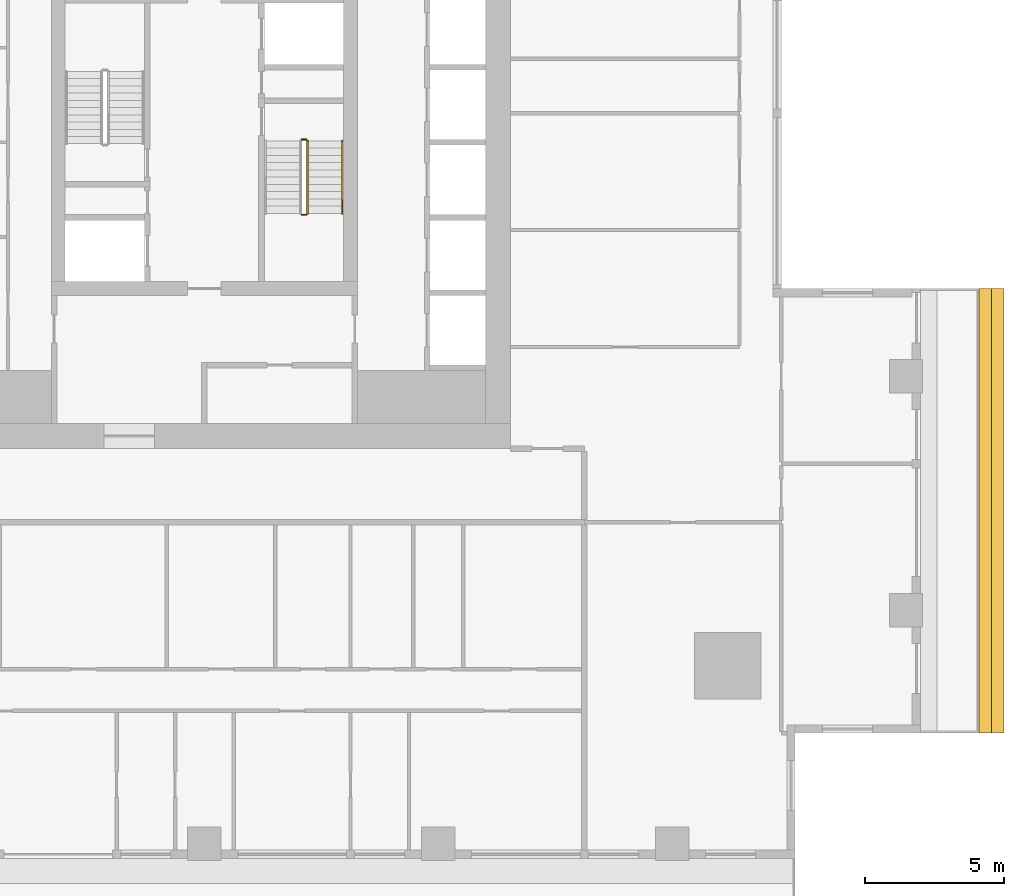
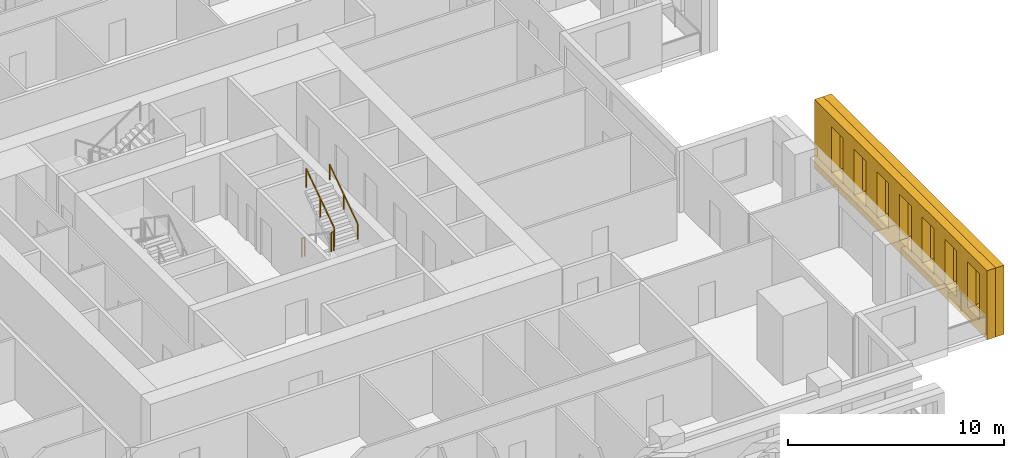
# One storey, part 13 of 15: 4 railings, 2 shading devices.
"""IFC4 building model written with IfcOpenShell, lengths in metres."""

import ifcopenshell
import ifcopenshell.guid

model = None  # the IFC model being written
_history = None  # IfcOwnerHistory: only IFC2X3 demands one
_inside = {}  # id of a spatial element -> (the spatial element, [elements in it])
_under = {}  # id of a project, library or spatial element -> (it, [spatial elements below it])
_declared = {}  # id of a project -> (the project, [libraries it declares])
_typed = {}  # id of a type object -> (the type object, [elements of that type])
_made_of = {}  # id of a material, layer set ... -> (it, [elements and type objects made of it])


def new_model(schema):
    """Start an empty IFC model of exactly this schema.

    Asked for "IFC4X3", IfcOpenShell would pick the latest addendum, in which some entities
    have other attributes; the version numbers below select the first issue.
    IFC2X3 requires an IfcOwnerHistory on every rooted entity: one is made here for all.
    """
    global model, _history
    if schema == "IFC4X3":
        model = ifcopenshell.file(schema_version=(4, 3, 0, 0))
    else:
        model = ifcopenshell.file(schema=schema)
    _inside.clear()
    _under.clear()
    _declared.clear()
    _typed.clear()
    _made_of.clear()
    _history = None
    if model.schema == "IFC2X3":
        org = make("IfcOrganization", Name="unknown")
        user = make(
            "IfcPersonAndOrganization",
            ThePerson=make("IfcPerson", FamilyName="unknown"),
            TheOrganization=org,
        )
        app = make(
            "IfcApplication",
            ApplicationDeveloper=org,
            Version="unknown",
            ApplicationFullName="unknown",
            ApplicationIdentifier="unknown",
        )
        _history = make(
            "IfcOwnerHistory",
            OwningUser=user,
            OwningApplication=app,
            ChangeAction="ADDED",
            CreationDate=0,
        )
    return model


def make(cls, **values):
    """One entity of the class cls with the attributes given. An attribute that is None is left unset."""
    return model.create_entity(
        cls, **{name: value for name, value in values.items() if value is not None}
    )


def rooted(cls, **values):
    """An entity with a GlobalId (a new one), such as an element, a storey or a relation."""
    return make(cls, GlobalId=ifcopenshell.guid.new(), OwnerHistory=_history, **values)


def si_unit(unit_type, name, prefix=None):
    """IfcSIUnit, for example si_unit("LENGTHUNIT", "METRE", prefix="MILLI")."""
    return make("IfcSIUnit", UnitType=unit_type, Prefix=prefix, Name=name)


def assignment(units):
    """IfcUnitAssignment: the units of a project."""
    return None if units is None else make("IfcUnitAssignment", Units=units)


def point(xyz):
    """IfcCartesianPoint."""
    return None if xyz is None else make("IfcCartesianPoint", Coordinates=xyz)


def direction(xyz):
    """IfcDirection."""
    return None if xyz is None else make("IfcDirection", DirectionRatios=xyz)


def frame(location, z_axis=None, x_axis=None):
    """IfcAxis2Placement3D, a coordinate frame: its origin and axes. An axis left out is left unset."""
    return make(
        "IfcAxis2Placement3D",
        Location=point(location),
        Axis=direction(z_axis),
        RefDirection=direction(x_axis),
    )


def frame_2d(location, x_axis=None):
    """IfcAxis2Placement2D, a coordinate frame in the plane: its origin and x axis."""
    return make(
        "IfcAxis2Placement2D", Location=point(location), RefDirection=direction(x_axis)
    )


def origin():
    """The frame at (0, 0, 0) with its axes left unset."""
    return frame((0.0, 0.0, 0.0))


def origin_2d():
    """The frame at (0, 0) in the plane with its x axis left unset."""
    return frame_2d((0.0, 0.0))


def place(relative_to, where):
    """IfcLocalPlacement: puts the frame where relative to a parent placement (None: the world)."""
    return make(
        "IfcLocalPlacement", PlacementRelTo=relative_to, RelativePlacement=where
    )


def context(
    kind, dimensions, precision=None, world=None, true_north=None, identifier=None
):
    """IfcGeometricRepresentationContext, for example the 3D "Model" context."""
    return make(
        "IfcGeometricRepresentationContext",
        ContextIdentifier=identifier,
        ContextType=kind,
        CoordinateSpaceDimension=dimensions,
        Precision=precision,
        WorldCoordinateSystem=world,
        TrueNorth=true_north,
    )


def subcontext(parent, identifier, kind, view, scale=None):
    """IfcGeometricRepresentationSubContext, for example "Body" below "Model"."""
    return make(
        "IfcGeometricRepresentationSubContext",
        ContextIdentifier=identifier,
        ContextType=kind,
        ParentContext=parent,
        TargetScale=scale,
        TargetView=view,
    )


def project(units=None, contexts=None):
    """IfcProject with its units and contexts."""
    return rooted(
        "IfcProject",
        Name="project",
        RepresentationContexts=contexts,
        UnitsInContext=assignment(units),
    )


def spatial(cls, under=None, at=None, **own):
    """A site, building, storey or space (cls), placed at a placement, below another one or the project."""
    s = rooted(cls, ObjectPlacement=at, **own)
    if under is not None:
        _under.setdefault(under.id(), (under, []))[1].append(s)
    return s


def polyline(points):
    """IfcPolyline through the points."""
    return make("IfcPolyline", Points=[point(p) for p in points])


def profile(cls, at=None, kind="AREA", **sizes):
    """A parametric profile (cls). Its sizes go by their IFC names, for example OverallWidth=200.0."""
    return make(cls, ProfileType=kind, Position=at, **sizes)


def rectangle(**sizes):
    """IfcRectangleProfileDef."""
    return profile("IfcRectangleProfileDef", **sizes)


def outline(outer, holes=None, kind="AREA"):
    """IfcArbitraryClosedProfileDef: a profile drawn as a closed curve; with holes, ...WithVoids."""
    if holes is None:
        return make("IfcArbitraryClosedProfileDef", ProfileType=kind, OuterCurve=outer)
    return make(
        "IfcArbitraryProfileDefWithVoids",
        ProfileType=kind,
        OuterCurve=outer,
        InnerCurves=holes,
    )


def extrude(swept, where, along, depth):
    """IfcExtrudedAreaSolid: the profile swept, set in the frame where, extruded along a direction by depth."""
    return make(
        "IfcExtrudedAreaSolid",
        SweptArea=swept,
        Position=where,
        ExtrudedDirection=direction(along),
        Depth=depth,
    )


def shape(context_of_items, identifier, shape_type, items):
    """IfcShapeRepresentation: the items that make up one representation, for example the "Body"."""
    return make(
        "IfcShapeRepresentation",
        ContextOfItems=context_of_items,
        RepresentationIdentifier=identifier,
        RepresentationType=shape_type,
        Items=items,
    )


def material(Name=None, Category=None):
    """IfcMaterial."""
    return make("IfcMaterial", Name=Name, Category=Category)


def made_of(thing, what):
    """Note that an element or type object is made of a material, layer set ...; save() writes the relation."""
    if what is not None:
        _made_of.setdefault(what.id(), (what, []))[1].append(thing)
    return thing


def type_object(cls, material=None, **own):
    """A type object (cls), such as IfcWallType, which elements share."""
    return made_of(rooted(cls, **own), material)


def element(
    cls,
    number,
    at=None,
    inside=None,
    cuts=None,
    type_object=None,
    material=None,
    context=None,
    identifier="Body",
    shape_type=None,
    held_by="IfcProductDefinitionShape",
    body=None,
    shapes=None,
    **own,
):
    """One element of the class cls, such as IfcWall. Its Tag is "e" and its number.

    at: its placement. inside: the storey or other place that contains it. cuts: it is an
    opening in that element (IfcRelVoidsElement). A single representation is given by context,
    identifier, shape_type and body (its items); several are given by shapes. held_by: the class
    of the entity that holds the representations. save() writes the other relations.
    """
    e = rooted(cls, Tag="e%d" % number, ObjectPlacement=at, **own)
    if body is not None:
        shapes = [shape(context, identifier, shape_type, body)]
    if shapes is not None:
        e.Representation = make(held_by, Representations=shapes)
    if inside is not None:
        _inside.setdefault(inside.id(), (inside, []))[1].append(e)
    if cuts is not None:
        rooted(
            "IfcRelVoidsElement", RelatingBuildingElement=cuts, RelatedOpeningElement=e
        )
    if type_object is not None:
        _typed.setdefault(type_object.id(), (type_object, []))[1].append(e)
    return made_of(e, material)


def aggregate(whole, parts):
    """IfcRelAggregates: a whole, such as a stair, and the parts it consists of."""
    return rooted("IfcRelAggregates", RelatingObject=whole, RelatedObjects=parts)


def save(model, path):
    """Write the relations noted so far, then the file.

    IfcRelAggregates (storeys below a building ...), IfcRelContainedInSpatialStructure (elements
    in a storey), IfcRelDefinesByType, IfcRelAssociatesMaterial and IfcRelDeclares: one each for
    every whole, place, type object, material and project.
    """
    for whole, parts in _under.values():
        aggregate(whole, parts)
    for where, things in _inside.values():
        rooted(
            "IfcRelContainedInSpatialStructure",
            RelatedElements=things,
            RelatingStructure=where,
        )
    for kind, things in _typed.values():
        rooted("IfcRelDefinesByType", RelatedObjects=things, RelatingType=kind)
    for what, things in _made_of.values():
        rooted("IfcRelAssociatesMaterial", RelatedObjects=things, RelatingMaterial=what)
    for by, libraries in _declared.values():
        rooted("IfcRelDeclares", RelatingContext=by, RelatedDefinitions=libraries)
    model.write(path)


model = new_model("IFC4")

# Units and contexts
model_context = context("Model", 3, precision=1e-05, world=origin(), true_north=direction((0.0, 1.0)))
body_context = subcontext(model_context, "Body", "Model", "MODEL_VIEW")
ifc_project = project(units=[si_unit("LENGTHUNIT", "METRE"), si_unit("AREAUNIT", "SQUARE_METRE"), si_unit("VOLUMEUNIT", "CUBIC_METRE"), si_unit("PLANEANGLEUNIT", "RADIAN"), si_unit("MASSUNIT", "GRAM", prefix="KILO")], contexts=[model_context])

# Site, building, storey
site_placement = place(None, origin())
site = spatial("IfcSite", under=ifc_project, at=site_placement, CompositionType="ELEMENT")
building_placement = place(site_placement, origin())
building = spatial("IfcBuilding", under=site, at=building_placement, Name="Khepri Terraces", CompositionType="ELEMENT")
storey_placement = place(building_placement, frame((0.0, 0.0, 200.10009765625)))
storey = spatial("IfcBuildingStorey", under=building, at=storey_placement, Name="L47", CompositionType="ELEMENT", Elevation=200.10009765625)

# Railings
ifc_material_1 = material(Name="Stainless steel 316", Category="steel")
railing_type_1 = type_object("IfcRailingType", Name="RL-CORE-GUARD", PredefinedType="GUARDRAIL", material=ifc_material_1)
railing_1_placement = place(storey_placement, frame((3.5, -2.60009765625, 1.949951171875)))
element("IfcRailing", 1, at=railing_1_placement, inside=storey, type_object=railing_type_1, Name="L47 ST-2 stair guard 2", PredefinedType="GUARDRAIL", context=body_context, shape_type="SweptSolid", body=[
    extrude(rectangle(XDim=0.050048828125, YDim=0.06005859375, at=origin_2d()), frame((0.0, 0.0, 1.070068359375), z_axis=(1.0, 0.0, 0.0), x_axis=(0.0, 1.0, 0.0)), (0.0, 0.0, 1.0), 0.14990234375),
    extrude(rectangle(XDim=0.050048828125, YDim=0.050048828125, at=origin_2d()), origin(), (0.0, 0.0, 1.0), 1.0400390625),
    extrude(rectangle(XDim=0.050048828125, YDim=0.050048828125, at=origin_2d()), frame((0.14990234375, 0.0, 0.0)), (0.0, 0.0, 1.0), 1.0400390625),
])
railing_2_placement = place(storey_placement, frame((3.699951171875, -2.550048828125, 2.127197265625)))
element("IfcRailing", 2, at=railing_2_placement, inside=storey, type_object=railing_type_1, Name="L47 ST-2 stair guard 3", PredefinedType="GUARDRAIL", context=body_context, shape_type="SweptSolid", body=[
    extrude(rectangle(XDim=0.050048828125, YDim=0.06005859375, at=origin_2d()), frame((0.0, 0.0, 1.070068359375), z_axis=(0.0, 0.826240473404, 0.563317565952), x_axis=(-1.0, 0.0, 0.0)), (0.0, 0.0, 1.0), 3.14697265625),
    extrude(rectangle(XDim=0.050048828125, YDim=0.050048828125, at=origin_2d()), origin(), (0.0, 0.0, 1.0), 1.0400390625),
    extrude(rectangle(XDim=0.050048828125, YDim=0.050048828125, at=origin_2d()), frame((0.0, 1.300048828125, 0.88623046875)), (0.0, 0.0, 1.0), 1.0400390625),
    extrude(rectangle(XDim=0.050048828125, YDim=0.050048828125, at=origin_2d()), frame((0.0, 2.60009765625, 1.772705078125)), (0.0, 0.0, 1.0), 1.0400390625),
])
railing_3_placement = place(storey_placement, frame((3.5, 0.10009765625, 0.0)))
element("IfcRailing", 3, at=railing_3_placement, inside=storey, type_object=railing_type_1, Name="L47 ST-2 stair guard 4", PredefinedType="GUARDRAIL", context=body_context, shape_type="SweptSolid", body=[
    extrude(rectangle(XDim=0.050048828125, YDim=0.06005859375, at=origin_2d()), frame((0.0, 0.0, 1.070068359375), z_axis=(1.0, 0.0, 0.0), x_axis=(0.0, 1.0, 0.0)), (0.0, 0.0, 1.0), 0.14990234375),
    extrude(rectangle(XDim=0.050048828125, YDim=0.050048828125, at=origin_2d()), origin(), (0.0, 0.0, 1.0), 1.0400390625),
    extrude(rectangle(XDim=0.050048828125, YDim=0.050048828125, at=origin_2d()), frame((0.14990234375, 0.0, 0.0)), (0.0, 0.0, 1.0), 1.0400390625),
])
railing_type_2 = type_object("IfcRailingType", Name="RL-CORE-HANDRAIL", PredefinedType="HANDRAIL", material=ifc_material_1)
railing_4_placement = place(storey_placement, frame((4.949951171875, -2.550048828125, 2.127197265625)))
element("IfcRailing", 4, at=railing_4_placement, inside=storey, type_object=railing_type_2, Name="L47 ST-2 stair handrail 2", PredefinedType="HANDRAIL", context=body_context, shape_type="SweptSolid", body=[
    extrude(rectangle(XDim=0.050048828125, YDim=0.050048828125, at=origin_2d()), frame((0.0, 0.0, 0.875), z_axis=(0.0, 0.826240473404, 0.563317565952), x_axis=(-1.0, 0.0, 0.0)), (0.0, 0.0, 1.0), 3.14697265625),
    extrude(rectangle(XDim=0.050048828125, YDim=0.050048828125, at=origin_2d()), origin(), (0.0, 0.0, 1.0), 0.849853515625),
    extrude(rectangle(XDim=0.050048828125, YDim=0.050048828125, at=origin_2d()), frame((0.0, 1.300048828125, 0.88623046875)), (0.0, 0.0, 1.0), 0.849853515625),
    extrude(rectangle(XDim=0.050048828125, YDim=0.050048828125, at=origin_2d()), frame((0.0, 2.60009765625, 1.772705078125)), (0.0, 0.0, 1.0), 0.849853515625),
])

# Shading devices
ifc_material_2 = material(Name="Precast concrete C50/60 warm stone", Category="masonry")
shading_device_type_1 = type_object("IfcShadingDeviceType", Name="SCR-CELL-INNER-450", PredefinedType="USERDEFINED", material=ifc_material_2)
shading_device_1_placement = place(storey_placement, frame((27.820068359375, -21.219970703125, -0.25), z_axis=(1.0, 0.0, 0.0), x_axis=(0.0, 1.0, 0.0)))
element("IfcShadingDevice", 5, at=shading_device_1_placement, inside=storey, type_object=shading_device_type_1, Name="Cell screen L47 E in", ObjectType="SCREEN", PredefinedType="USERDEFINED", context=body_context, shape_type="SweptSolid", body=[
    extrude(outline(polyline([(0.0, 0.0), (15.969970703125, 0.0), (15.969970703125, 3.89990234375), (0.0, 3.89990234375), (0.0, 0.0)]), holes=[polyline([(0.7265625, 0.699951171875), (1.8134765625, 0.699951171875), (1.8134765625, 3.300048828125), (0.7265625, 3.300048828125), (0.7265625, 0.699951171875)]), polyline([(2.82666015625, 0.699951171875), (3.913330078125, 0.699951171875), (3.913330078125, 3.300048828125), (2.82666015625, 3.300048828125), (2.82666015625, 0.699951171875)]), polyline([(4.926513671875, 0.699951171875), (6.013427734375, 0.699951171875), (6.013427734375, 3.300048828125), (4.926513671875, 3.300048828125), (4.926513671875, 0.699951171875)]), polyline([(7.026611328125, 0.699951171875), (8.11328125, 0.699951171875), (8.11328125, 3.300048828125), (7.026611328125, 3.300048828125), (7.026611328125, 0.699951171875)]), polyline([(9.126708984375, 0.699951171875), (10.21337890625, 0.699951171875), (10.21337890625, 3.300048828125), (9.126708984375, 3.300048828125), (9.126708984375, 0.699951171875)]), polyline([(11.2265625, 0.699951171875), (12.3134765625, 0.699951171875), (12.3134765625, 3.300048828125), (11.2265625, 3.300048828125), (11.2265625, 0.699951171875)]), polyline([(13.32666015625, 0.699951171875), (14.413330078125, 0.699951171875), (14.413330078125, 3.300048828125), (13.32666015625, 3.300048828125), (13.32666015625, 0.699951171875)])]), origin(), (0.0, 0.0, 1.0), 0.449951171875),
])
shading_device_type_2 = type_object("IfcShadingDeviceType", Name="SCR-CELL-OUTER-450", PredefinedType="USERDEFINED", material=ifc_material_2)
shading_device_2_placement = place(storey_placement, frame((28.27001953125, -21.219970703125, -0.25), z_axis=(1.0, 0.0, 0.0), x_axis=(0.0, 1.0, 0.0)))
element("IfcShadingDevice", 6, at=shading_device_2_placement, inside=storey, type_object=shading_device_type_2, Name="Cell screen L47 E out", ObjectType="SCREEN", PredefinedType="USERDEFINED", context=body_context, shape_type="SweptSolid", body=[
    extrude(outline(polyline([(0.0, 0.0), (15.969970703125, 0.0), (15.969970703125, 3.89990234375), (0.0, 3.89990234375), (0.0, 0.0)]), holes=[polyline([(0.376708984375, 0.449951171875), (2.163330078125, 0.449951171875), (2.163330078125, 3.550048828125), (0.376708984375, 3.550048828125), (0.376708984375, 0.449951171875)]), polyline([(2.4765625, 0.449951171875), (4.263427734375, 0.449951171875), (4.263427734375, 3.550048828125), (2.4765625, 3.550048828125), (2.4765625, 0.449951171875)]), polyline([(4.57666015625, 0.449951171875), (6.36328125, 0.449951171875), (6.36328125, 3.550048828125), (4.57666015625, 3.550048828125), (4.57666015625, 0.449951171875)]), polyline([(6.676513671875, 0.449951171875), (8.46337890625, 0.449951171875), (8.46337890625, 3.550048828125), (6.676513671875, 3.550048828125), (6.676513671875, 0.449951171875)]), polyline([(8.776611328125, 0.449951171875), (10.5634765625, 0.449951171875), (10.5634765625, 3.550048828125), (8.776611328125, 3.550048828125), (8.776611328125, 0.449951171875)]), polyline([(10.876708984375, 0.449951171875), (12.663330078125, 0.449951171875), (12.663330078125, 3.550048828125), (10.876708984375, 3.550048828125), (10.876708984375, 0.449951171875)]), polyline([(12.9765625, 0.449951171875), (14.763427734375, 0.449951171875), (14.763427734375, 3.550048828125), (12.9765625, 3.550048828125), (12.9765625, 0.449951171875)])]), origin(), (0.0, 0.0, 1.0), 0.449951171875),
])

save(model, "model.ifc")
